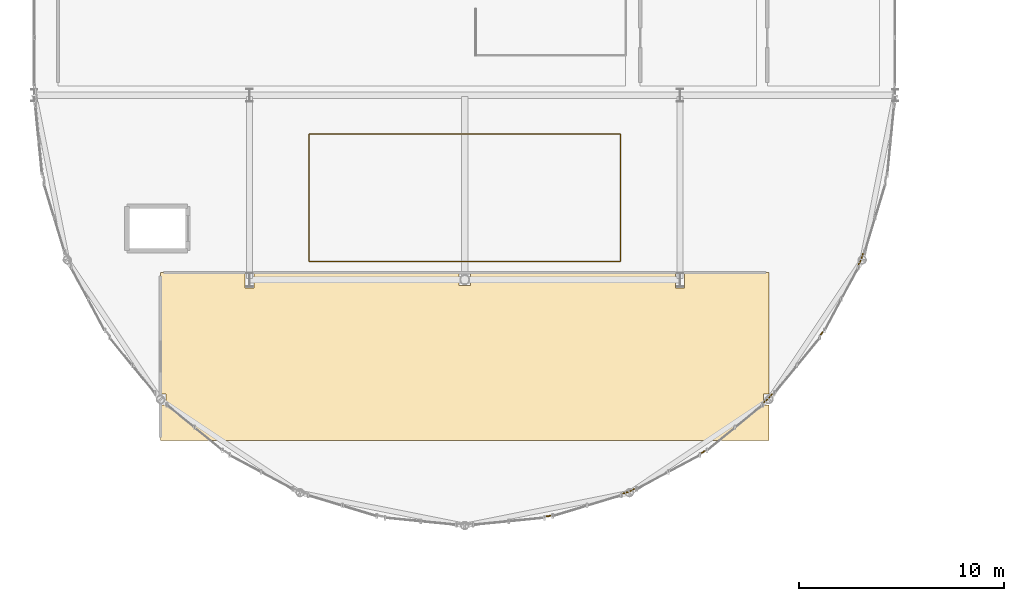
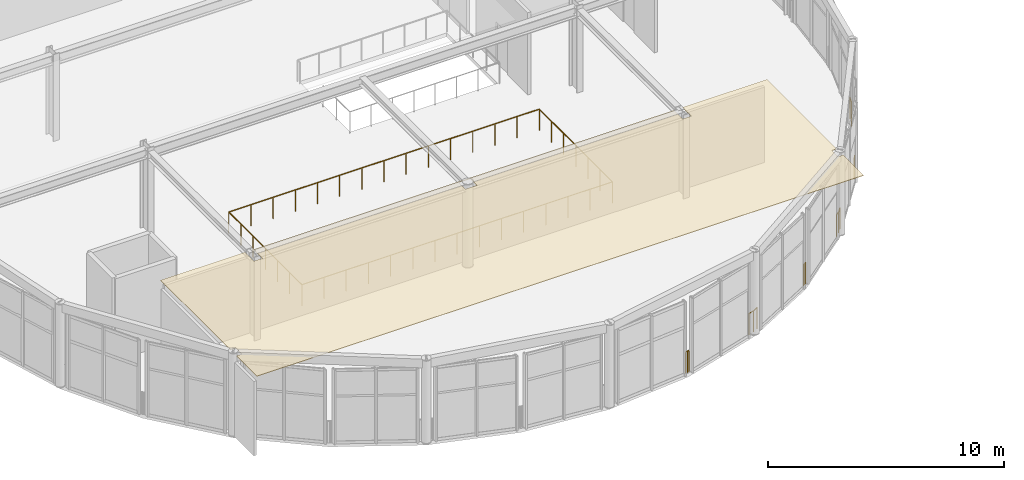
# One storey, part 89 of 105: 7 railings, 1 covering.
"""IFC4 building model written with IfcOpenShell, lengths in metres."""

from ifc_helpers import new_model, si_unit, direction, frame, origin, origin_2d, place, context, subcontext, project, spatial, polyline, circle, outline, extrude, material, layer, layer_set, type_object, element, save


model = new_model("IFC4")

# Units and contexts
model_context = context("Model", 3, precision=1e-05, world=origin(), true_north=direction((0.0, 1.0)))
body_context = subcontext(model_context, "Body", "Model", "MODEL_VIEW")
ifc_project = project(units=[si_unit("LENGTHUNIT", "METRE"), si_unit("AREAUNIT", "SQUARE_METRE"), si_unit("VOLUMEUNIT", "CUBIC_METRE"), si_unit("PLANEANGLEUNIT", "RADIAN"), si_unit("MASSUNIT", "GRAM", prefix="KILO")], contexts=[model_context])

# Site, building, storey
site_placement = place(None, origin())
site = spatial("IfcSite", under=ifc_project, at=site_placement, CompositionType="ELEMENT")
building_placement = place(site_placement, origin())
building = spatial("IfcBuilding", under=site, at=building_placement, Name="Marlcrest Central Station", CompositionType="ELEMENT")
storey_placement = place(building_placement, frame((0.0, 0.0, 15.0)))
storey = spatial("IfcBuildingStorey", under=building, at=storey_placement, Name="L03", CompositionType="ELEMENT", Elevation=15.0)

# Covering
ifc_material_1 = material(Name="Perforated acoustic mineral-fibre ceiling")
ifc_layer = layer(ifc_material_1, 0.02490234375, Name="CV-CLG")
ifc_layer_set = layer_set([ifc_layer], Name="Perforated acoustic mineral-fibre ceiling")
covering_type = type_object("IfcCoveringType", Name="CV-CLG", PredefinedType="CEILING", material=ifc_layer_set)
covering_placement = place(storey_placement, frame((0.0, 0.0, 4.175048828125)))
element("IfcCovering", 1, at=covering_placement, inside=storey, type_object=covering_type, Name="cov-clg-0120", PredefinedType="CEILING", context=body_context, shape_type="SweptSolid", body=[
    extrude(outline(polyline([(122.5859375, 7.387939453125), (122.840087890625, 7.387939453125), (122.840087890625, 5.659912109375), (93.159912109375, 5.659912109375), (93.159912109375, 7.387939453125), (93.4140625, 7.387939453125), (93.4140625, 7.9140625), (93.159912109375, 7.9140625), (93.159912109375, 13.840087890625), (97.2900390625, 13.840087890625), (97.2900390625, 13.090087890625), (97.7099609375, 13.090087890625), (97.7099609375, 13.840087890625), (118.2900390625, 13.840087890625), (118.2900390625, 13.090087890625), (118.7099609375, 13.090087890625), (118.7099609375, 13.840087890625), (122.840087890625, 13.840087890625), (122.840087890625, 7.9140625), (122.5859375, 7.9140625), (122.5859375, 7.387939453125)]), holes=[polyline([(107.7119140625, 13.7880859375), (107.7119140625, 13.2119140625), (108.2880859375, 13.2119140625), (108.2880859375, 13.7880859375), (107.7119140625, 13.7880859375)])]), origin(), (0.0, 0.0, 1.0), 0.02490234375),
])

# Railings
ifc_material_2 = material(Name="Stainless steel and laminated glass concourse balustrade", Category="steel")
railing_type = type_object("IfcRailingType", Name="GR-02", PredefinedType="BALUSTRADE", material=ifc_material_2)
railing_1_placement = place(storey_placement, frame((100.39990234375, 14.39990234375, 0.0)))
element("IfcRailing", 2, at=railing_1_placement, inside=storey, type_object=railing_type, Name="grd-L03-0020", PredefinedType="BALUSTRADE", context=body_context, shape_type="SweptSolid", body=[
    extrude(circle(Radius=0.02392578125, at=origin_2d()), frame((0.0, 0.0, 1.09619140625), z_axis=(1.0, 0.0, 0.0), x_axis=(0.0, 1.0, 0.0)), (0.0, 0.0, 1.0), 15.2001953125),
    extrude(circle(Radius=0.02392578125, at=origin_2d()), frame((15.2001953125, 0.0, 1.09619140625), z_axis=(0.0, 1.0, 0.0), x_axis=(-1.0, 0.0, 0.0)), (0.0, 0.0, 1.0), 6.2001953125),
    extrude(circle(Radius=0.02392578125, at=origin_2d()), frame((15.2001953125, 6.2001953125, 1.09619140625), z_axis=(-1.0, 0.0, 0.0), x_axis=(0.0, -1.0, 0.0)), (0.0, 0.0, 1.0), 15.2001953125),
    extrude(circle(Radius=0.02392578125, at=origin_2d()), frame((0.0, 6.2001953125, 1.09619140625), z_axis=(0.0, -1.0, 0.0), x_axis=(1.0, 0.0, 0.0)), (0.0, 0.0, 1.0), 6.2001953125),
    extrude(circle(Radius=0.02099609375, at=origin_2d()), origin(), (0.0, 0.0, 1.0), 1.072021484375),
    extrude(circle(Radius=0.02099609375, at=origin_2d()), frame((1.085693359375, 0.0, 0.0)), (0.0, 0.0, 1.0), 1.072021484375),
    extrude(circle(Radius=0.02099609375, at=origin_2d()), frame((2.17138671875, 0.0, 0.0)), (0.0, 0.0, 1.0), 1.072021484375),
    extrude(circle(Radius=0.02099609375, at=origin_2d()), frame((3.257080078125, 0.0, 0.0)), (0.0, 0.0, 1.0), 1.072021484375),
    extrude(circle(Radius=0.02099609375, at=origin_2d()), frame((4.343017578125, 0.0, 0.0)), (0.0, 0.0, 1.0), 1.072021484375),
    extrude(circle(Radius=0.02099609375, at=origin_2d()), frame((5.4287109375, 0.0, 0.0)), (0.0, 0.0, 1.0), 1.072021484375),
    extrude(circle(Radius=0.02099609375, at=origin_2d()), frame((6.514404296875, 0.0, 0.0)), (0.0, 0.0, 1.0), 1.072021484375),
    extrude(circle(Radius=0.02099609375, at=origin_2d()), frame((7.60009765625, 0.0, 0.0)), (0.0, 0.0, 1.0), 1.072021484375),
    extrude(circle(Radius=0.02099609375, at=origin_2d()), frame((8.685791015625, 0.0, 0.0)), (0.0, 0.0, 1.0), 1.072021484375),
    extrude(circle(Radius=0.02099609375, at=origin_2d()), frame((9.771484375, 0.0, 0.0)), (0.0, 0.0, 1.0), 1.072021484375),
    extrude(circle(Radius=0.02099609375, at=origin_2d()), frame((10.857177734375, 0.0, 0.0)), (0.0, 0.0, 1.0), 1.072021484375),
    extrude(circle(Radius=0.02099609375, at=origin_2d()), frame((11.943115234375, 0.0, 0.0)), (0.0, 0.0, 1.0), 1.072021484375),
    extrude(circle(Radius=0.02099609375, at=origin_2d()), frame((13.02880859375, 0.0, 0.0)), (0.0, 0.0, 1.0), 1.072021484375),
    extrude(circle(Radius=0.02099609375, at=origin_2d()), frame((14.114501953125, 0.0, 0.0)), (0.0, 0.0, 1.0), 1.072021484375),
    extrude(circle(Radius=0.02099609375, at=origin_2d()), frame((15.2001953125, 0.0, 0.0)), (0.0, 0.0, 1.0), 1.072021484375),
    extrude(circle(Radius=0.02099609375, at=origin_2d()), frame((15.2001953125, 1.033447265625, 0.0)), (0.0, 0.0, 1.0), 1.072021484375),
    extrude(circle(Radius=0.02099609375, at=origin_2d()), frame((15.2001953125, 2.066650390625, 0.0)), (0.0, 0.0, 1.0), 1.072021484375),
    extrude(circle(Radius=0.02099609375, at=origin_2d()), frame((15.2001953125, 3.10009765625, 0.0)), (0.0, 0.0, 1.0), 1.072021484375),
    extrude(circle(Radius=0.02099609375, at=origin_2d()), frame((15.2001953125, 4.133544921875, 0.0)), (0.0, 0.0, 1.0), 1.072021484375),
    extrude(circle(Radius=0.02099609375, at=origin_2d()), frame((15.2001953125, 5.166748046875, 0.0)), (0.0, 0.0, 1.0), 1.072021484375),
    extrude(circle(Radius=0.02099609375, at=origin_2d()), frame((15.2001953125, 6.2001953125, 0.0)), (0.0, 0.0, 1.0), 1.072021484375),
    extrude(circle(Radius=0.02099609375, at=origin_2d()), frame((14.114501953125, 6.2001953125, 0.0)), (0.0, 0.0, 1.0), 1.072021484375),
    extrude(circle(Radius=0.02099609375, at=origin_2d()), frame((13.02880859375, 6.2001953125, 0.0)), (0.0, 0.0, 1.0), 1.072021484375),
    extrude(circle(Radius=0.02099609375, at=origin_2d()), frame((11.943115234375, 6.2001953125, 0.0)), (0.0, 0.0, 1.0), 1.072021484375),
    extrude(circle(Radius=0.02099609375, at=origin_2d()), frame((10.857177734375, 6.2001953125, 0.0)), (0.0, 0.0, 1.0), 1.072021484375),
    extrude(circle(Radius=0.02099609375, at=origin_2d()), frame((9.771484375, 6.2001953125, 0.0)), (0.0, 0.0, 1.0), 1.072021484375),
    extrude(circle(Radius=0.02099609375, at=origin_2d()), frame((8.685791015625, 6.2001953125, 0.0)), (0.0, 0.0, 1.0), 1.072021484375),
    extrude(circle(Radius=0.02099609375, at=origin_2d()), frame((7.60009765625, 6.2001953125, 0.0)), (0.0, 0.0, 1.0), 1.072021484375),
    extrude(circle(Radius=0.02099609375, at=origin_2d()), frame((6.514404296875, 6.2001953125, 0.0)), (0.0, 0.0, 1.0), 1.072021484375),
    extrude(circle(Radius=0.02099609375, at=origin_2d()), frame((5.4287109375, 6.2001953125, 0.0)), (0.0, 0.0, 1.0), 1.072021484375),
    extrude(circle(Radius=0.02099609375, at=origin_2d()), frame((4.343017578125, 6.2001953125, 0.0)), (0.0, 0.0, 1.0), 1.072021484375),
    extrude(circle(Radius=0.02099609375, at=origin_2d()), frame((3.257080078125, 6.2001953125, 0.0)), (0.0, 0.0, 1.0), 1.072021484375),
    extrude(circle(Radius=0.02099609375, at=origin_2d()), frame((2.17138671875, 6.2001953125, 0.0)), (0.0, 0.0, 1.0), 1.072021484375),
    extrude(circle(Radius=0.02099609375, at=origin_2d()), frame((1.085693359375, 6.2001953125, 0.0)), (0.0, 0.0, 1.0), 1.072021484375),
    extrude(circle(Radius=0.02099609375, at=origin_2d()), frame((0.0, 6.2001953125, 0.0)), (0.0, 0.0, 1.0), 1.072021484375),
    extrude(circle(Radius=0.02099609375, at=origin_2d()), frame((0.0, 5.166748046875, 0.0)), (0.0, 0.0, 1.0), 1.072021484375),
    extrude(circle(Radius=0.02099609375, at=origin_2d()), frame((0.0, 4.133544921875, 0.0)), (0.0, 0.0, 1.0), 1.072021484375),
    extrude(circle(Radius=0.02099609375, at=origin_2d()), frame((0.0, 3.10009765625, 0.0)), (0.0, 0.0, 1.0), 1.072021484375),
    extrude(circle(Radius=0.02099609375, at=origin_2d()), frame((0.0, 2.066650390625, 0.0)), (0.0, 0.0, 1.0), 1.072021484375),
    extrude(circle(Radius=0.02099609375, at=origin_2d()), frame((0.0, 1.033447265625, 0.0)), (0.0, 0.0, 1.0), 1.072021484375),
])
railing_2_placement = place(storey_placement, frame((127.428955078125, 14.762939453125, 0.0)))
element("IfcRailing", 3, at=railing_2_placement, inside=storey, type_object=railing_type, Name="hr-L03-00432", PredefinedType="BALUSTRADE", context=body_context, shape_type="SweptSolid", body=[
    extrude(circle(Radius=0.02392578125, at=origin_2d()), frame((0.0, 0.0, 1.09619140625), z_axis=(-0.291228991205, -0.956653372273, 0.0), x_axis=(0.956653372273, -0.291228991205, 0.0)), (0.0, 0.0, 1.0), 0.288330078125),
    extrude(circle(Radius=0.02392578125, at=origin_2d()), frame((-0.083984375, -0.27587890625, 1.09619140625), z_axis=(-0.469134550261, -0.883126703113, 0.0), x_axis=(0.883126703113, -0.469134550261, 0.0)), (0.0, 0.0, 1.0), 0.287841796875),
    extrude(circle(Radius=0.02099609375, at=origin_2d()), origin(), (0.0, 0.0, 1.0), 1.072021484375),
    extrude(circle(Radius=0.02099609375, at=origin_2d()), frame((-0.083984375, -0.27587890625, 0.0)), (0.0, 0.0, 1.0), 1.072021484375),
    extrude(circle(Radius=0.02099609375, at=origin_2d()), frame((-0.218994140625, -0.530029296875, 0.0)), (0.0, 0.0, 1.0), 1.072021484375),
])
railing_3_placement = place(storey_placement, frame((125.452880859375, 10.946044921875, 0.0)))
element("IfcRailing", 4, at=railing_3_placement, inside=storey, type_object=railing_type, Name="hr-L03-00433", PredefinedType="BALUSTRADE", context=body_context, shape_type="SweptSolid", body=[
    extrude(circle(Radius=0.02392578125, at=origin_2d()), frame((0.0, 0.0, 1.09619140625), z_axis=(-0.464410514373, -0.885620050665, 0.0), x_axis=(0.885620050665, -0.464410514373, 0.0)), (0.0, 0.0, 1.0), 0.09033203125),
    extrude(circle(Radius=0.02392578125, at=origin_2d()), frame((-0.0419921875, -0.080078125, 1.09619140625), z_axis=(-0.636952090501, -0.770903388504, 0.0), x_axis=(0.770903388504, -0.636952090501, 0.0)), (0.0, 0.0, 1.0), 0.08935546875),
    extrude(circle(Radius=0.02099609375, at=origin_2d()), origin(), (0.0, 0.0, 1.0), 1.072021484375),
    extrude(circle(Radius=0.02099609375, at=origin_2d()), frame((-0.0419921875, -0.080078125, 0.0)), (0.0, 0.0, 1.0), 1.072021484375),
    extrude(circle(Radius=0.02099609375, at=origin_2d()), frame((-0.098876953125, -0.14892578125, 0.0)), (0.0, 0.0, 1.0), 1.072021484375),
])
railing_4_placement = place(storey_placement, frame((122.989013671875, 7.916015625, 0.0)))
element("IfcRailing", 5, at=railing_4_placement, inside=storey, type_object=railing_type, Name="hr-L03-00434", PredefinedType="BALUSTRADE", context=body_context, shape_type="SweptSolid", body=[
    extrude(circle(Radius=0.02392578125, at=origin_2d()), frame((0.0, 0.0, 1.09619140625), z_axis=(-0.636420822133, -0.771342036425, 0.0), x_axis=(0.771342036425, -0.636420822133, 0.0)), (0.0, 0.0, 1.0), 0.28759765625),
    extrude(circle(Radius=0.02392578125, at=origin_2d()), frame((-0.18310546875, -0.221923828125, 1.09619140625), z_axis=(-0.771342036425, -0.636420822133, 0.0), x_axis=(0.636420822133, -0.771342036425, 0.0)), (0.0, 0.0, 1.0), 0.28759765625),
    extrude(circle(Radius=0.02099609375, at=origin_2d()), origin(), (0.0, 0.0, 1.0), 1.072021484375),
    extrude(circle(Radius=0.02099609375, at=origin_2d()), frame((-0.18310546875, -0.221923828125, 0.0)), (0.0, 0.0, 1.0), 1.072021484375),
    extrude(circle(Radius=0.02099609375, at=origin_2d()), frame((-0.405029296875, -0.405029296875, 0.0)), (0.0, 0.0, 1.0), 1.072021484375),
])
railing_5_placement = place(storey_placement, frame((119.702880859375, 5.14599609375, 0.0)))
element("IfcRailing", 6, at=railing_5_placement, inside=storey, type_object=railing_type, Name="hr-L03-00435", PredefinedType="BALUSTRADE", context=body_context, shape_type="SweptSolid", body=[
    extrude(circle(Radius=0.02392578125, at=origin_2d()), frame((0.0, 0.0, 1.09619140625), z_axis=(-0.770903388504, -0.636952090501, 0.0), x_axis=(0.636952090501, -0.770903388504, 0.0)), (0.0, 0.0, 1.0), 0.08935546875),
    extrude(circle(Radius=0.02392578125, at=origin_2d()), frame((-0.06884765625, -0.056884765625, 1.09619140625), z_axis=(-0.885620050665, -0.464410514373, 0.0), x_axis=(0.464410514373, -0.885620050665, 0.0)), (0.0, 0.0, 1.0), 0.09033203125),
    extrude(circle(Radius=0.02099609375, at=origin_2d()), origin(), (0.0, 0.0, 1.0), 1.072021484375),
    extrude(circle(Radius=0.02099609375, at=origin_2d()), frame((-0.06884765625, -0.056884765625, 0.0)), (0.0, 0.0, 1.0), 1.072021484375),
    extrude(circle(Radius=0.02099609375, at=origin_2d()), frame((-0.14892578125, -0.098876953125, 0.0)), (0.0, 0.0, 1.0), 1.072021484375),
])
railing_6_placement = place(storey_placement, frame((116.26708984375, 3.2900390625, 0.0)))
element("IfcRailing", 7, at=railing_6_placement, inside=storey, type_object=railing_type, Name="hr-L03-00436", PredefinedType="BALUSTRADE", context=body_context, shape_type="SweptSolid", body=[
    extrude(circle(Radius=0.02392578125, at=origin_2d()), frame((0.0, 0.0, 1.09619140625), z_axis=(-0.883126703113, -0.469134550261, 0.0), x_axis=(0.469134550261, -0.883126703113, 0.0)), (0.0, 0.0, 1.0), 0.287841796875),
    extrude(circle(Radius=0.02392578125, at=origin_2d()), frame((-0.254150390625, -0.135009765625, 1.09619140625), z_axis=(-0.956653372273, -0.291228991205, 0.0), x_axis=(0.291228991205, -0.956653372273, 0.0)), (0.0, 0.0, 1.0), 0.288330078125),
    extrude(circle(Radius=0.02099609375, at=origin_2d()), origin(), (0.0, 0.0, 1.0), 1.072021484375),
    extrude(circle(Radius=0.02099609375, at=origin_2d()), frame((-0.254150390625, -0.135009765625, 0.0)), (0.0, 0.0, 1.0), 1.072021484375),
    extrude(circle(Radius=0.02099609375, at=origin_2d()), frame((-0.530029296875, -0.218994140625, 0.0)), (0.0, 0.0, 1.0), 1.072021484375),
])
railing_7_placement = place(storey_placement, frame((112.1708984375, 1.989013671875, 0.0)))
element("IfcRailing", 8, at=railing_7_placement, inside=storey, type_object=railing_type, Name="hr-L03-00437", PredefinedType="BALUSTRADE", context=body_context, shape_type="SweptSolid", body=[
    extrude(circle(Radius=0.02392578125, at=origin_2d()), frame((0.0, 0.0, 1.09619140625), z_axis=(-0.956772580042, -0.290837119501, 0.0), x_axis=(0.290837119501, -0.956772580042, 0.0)), (0.0, 0.0, 1.0), 0.08984375),
    extrude(circle(Radius=0.02392578125, at=origin_2d()), frame((-0.0859375, -0.026123046875, 1.09619140625), z_axis=(-0.995144874966, -0.0984209217, 0.0), x_axis=(0.0984209217, -0.995144874966, 0.0)), (0.0, 0.0, 1.0), 0.08935546875),
    extrude(circle(Radius=0.02099609375, at=origin_2d()), origin(), (0.0, 0.0, 1.0), 1.072021484375),
    extrude(circle(Radius=0.02099609375, at=origin_2d()), frame((-0.0859375, -0.026123046875, 0.0)), (0.0, 0.0, 1.0), 1.072021484375),
    extrude(circle(Radius=0.02099609375, at=origin_2d()), frame((-0.1748046875, -0.034912109375, 0.0)), (0.0, 0.0, 1.0), 1.072021484375),
])

save(model, "model.ifc")
